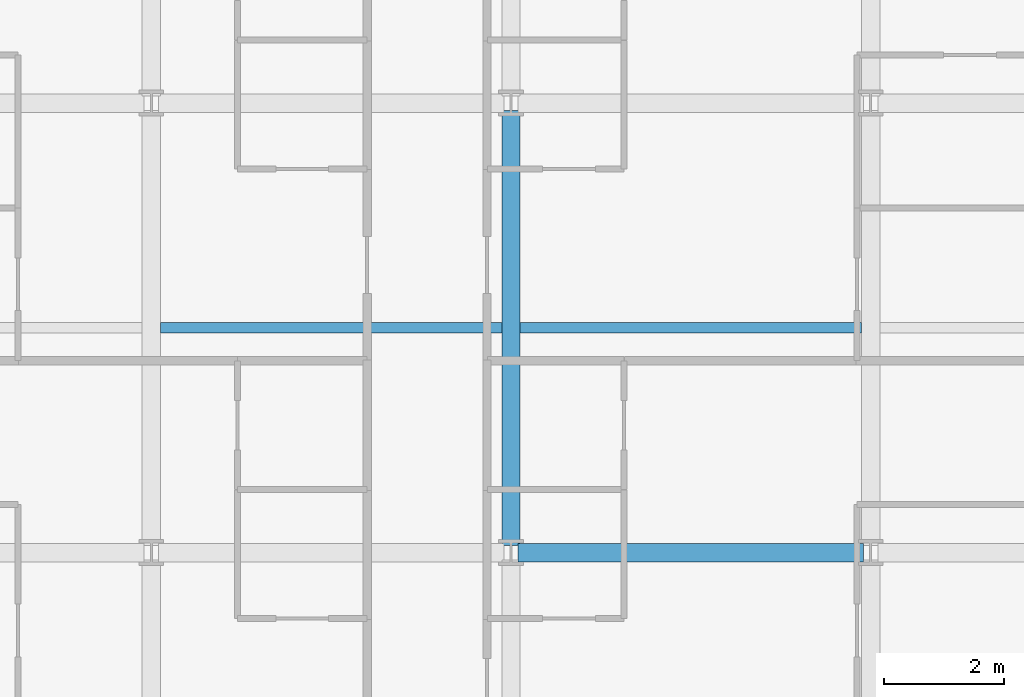
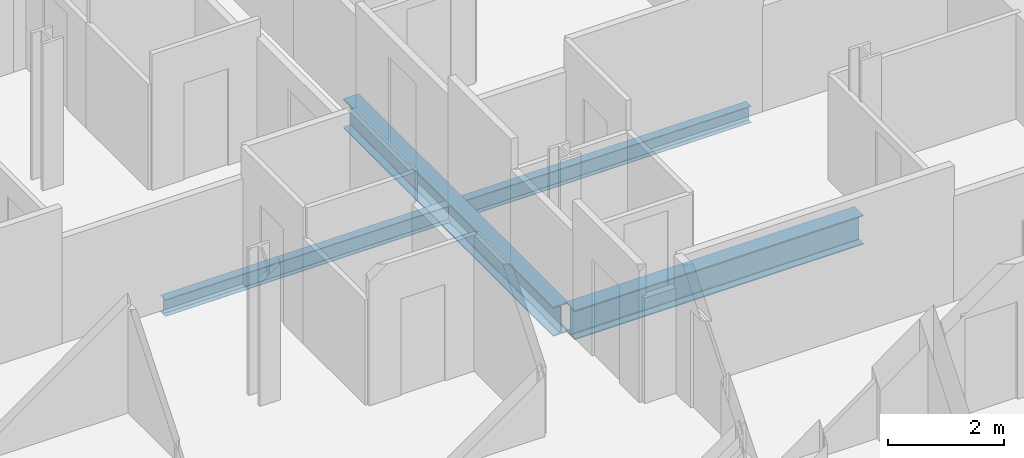
# One storey, part 6 of 40: 4 beams.
"""IFC4 building model written with IfcOpenShell, lengths in metres."""

import ifcopenshell
import ifcopenshell.guid

model = None  # the IFC model being written
_history = None  # IfcOwnerHistory: only IFC2X3 demands one
_inside = {}  # id of a spatial element -> (the spatial element, [elements in it])
_under = {}  # id of a project, library or spatial element -> (it, [spatial elements below it])
_declared = {}  # id of a project -> (the project, [libraries it declares])
_typed = {}  # id of a type object -> (the type object, [elements of that type])
_made_of = {}  # id of a material, layer set ... -> (it, [elements and type objects made of it])


def new_model(schema):
    """Start an empty IFC model of exactly this schema.

    Asked for "IFC4X3", IfcOpenShell would pick the latest addendum, in which some entities
    have other attributes; the version numbers below select the first issue.
    IFC2X3 requires an IfcOwnerHistory on every rooted entity: one is made here for all.
    """
    global model, _history
    if schema == "IFC4X3":
        model = ifcopenshell.file(schema_version=(4, 3, 0, 0))
    else:
        model = ifcopenshell.file(schema=schema)
    _inside.clear()
    _under.clear()
    _declared.clear()
    _typed.clear()
    _made_of.clear()
    _history = None
    if model.schema == "IFC2X3":
        org = make("IfcOrganization", Name="unknown")
        user = make(
            "IfcPersonAndOrganization",
            ThePerson=make("IfcPerson", FamilyName="unknown"),
            TheOrganization=org,
        )
        app = make(
            "IfcApplication",
            ApplicationDeveloper=org,
            Version="unknown",
            ApplicationFullName="unknown",
            ApplicationIdentifier="unknown",
        )
        _history = make(
            "IfcOwnerHistory",
            OwningUser=user,
            OwningApplication=app,
            ChangeAction="ADDED",
            CreationDate=0,
        )
    return model


def make(cls, **values):
    """One entity of the class cls with the attributes given. An attribute that is None is left unset."""
    return model.create_entity(
        cls, **{name: value for name, value in values.items() if value is not None}
    )


def rooted(cls, **values):
    """An entity with a GlobalId (a new one), such as an element, a storey or a relation."""
    return make(cls, GlobalId=ifcopenshell.guid.new(), OwnerHistory=_history, **values)


def si_unit(unit_type, name, prefix=None):
    """IfcSIUnit, for example si_unit("LENGTHUNIT", "METRE", prefix="MILLI")."""
    return make("IfcSIUnit", UnitType=unit_type, Prefix=prefix, Name=name)


def assignment(units):
    """IfcUnitAssignment: the units of a project."""
    return None if units is None else make("IfcUnitAssignment", Units=units)


def point(xyz):
    """IfcCartesianPoint."""
    return None if xyz is None else make("IfcCartesianPoint", Coordinates=xyz)


def direction(xyz):
    """IfcDirection."""
    return None if xyz is None else make("IfcDirection", DirectionRatios=xyz)


def frame(location, z_axis=None, x_axis=None):
    """IfcAxis2Placement3D, a coordinate frame: its origin and axes. An axis left out is left unset."""
    return make(
        "IfcAxis2Placement3D",
        Location=point(location),
        Axis=direction(z_axis),
        RefDirection=direction(x_axis),
    )


def frame_2d(location, x_axis=None):
    """IfcAxis2Placement2D, a coordinate frame in the plane: its origin and x axis."""
    return make(
        "IfcAxis2Placement2D", Location=point(location), RefDirection=direction(x_axis)
    )


def origin():
    """The frame at (0, 0, 0) with its axes left unset."""
    return frame((0.0, 0.0, 0.0))


def origin_2d():
    """The frame at (0, 0) in the plane with its x axis left unset."""
    return frame_2d((0.0, 0.0))


def place(relative_to, where):
    """IfcLocalPlacement: puts the frame where relative to a parent placement (None: the world)."""
    return make(
        "IfcLocalPlacement", PlacementRelTo=relative_to, RelativePlacement=where
    )


def context(
    kind, dimensions, precision=None, world=None, true_north=None, identifier=None
):
    """IfcGeometricRepresentationContext, for example the 3D "Model" context."""
    return make(
        "IfcGeometricRepresentationContext",
        ContextIdentifier=identifier,
        ContextType=kind,
        CoordinateSpaceDimension=dimensions,
        Precision=precision,
        WorldCoordinateSystem=world,
        TrueNorth=true_north,
    )


def subcontext(parent, identifier, kind, view, scale=None):
    """IfcGeometricRepresentationSubContext, for example "Body" below "Model"."""
    return make(
        "IfcGeometricRepresentationSubContext",
        ContextIdentifier=identifier,
        ContextType=kind,
        ParentContext=parent,
        TargetScale=scale,
        TargetView=view,
    )


def project(units=None, contexts=None):
    """IfcProject with its units and contexts."""
    return rooted(
        "IfcProject",
        Name="project",
        RepresentationContexts=contexts,
        UnitsInContext=assignment(units),
    )


def spatial(cls, under=None, at=None, **own):
    """A site, building, storey or space (cls), placed at a placement, below another one or the project."""
    s = rooted(cls, ObjectPlacement=at, **own)
    if under is not None:
        _under.setdefault(under.id(), (under, []))[1].append(s)
    return s


def profile(cls, at=None, kind="AREA", **sizes):
    """A parametric profile (cls). Its sizes go by their IFC names, for example OverallWidth=200.0."""
    return make(cls, ProfileType=kind, Position=at, **sizes)


def i_section(**sizes):
    """IfcIShapeProfileDef."""
    return profile("IfcIShapeProfileDef", **sizes)


def extrude(swept, where, along, depth):
    """IfcExtrudedAreaSolid: the profile swept, set in the frame where, extruded along a direction by depth."""
    return make(
        "IfcExtrudedAreaSolid",
        SweptArea=swept,
        Position=where,
        ExtrudedDirection=direction(along),
        Depth=depth,
    )


def shape(context_of_items, identifier, shape_type, items):
    """IfcShapeRepresentation: the items that make up one representation, for example the "Body"."""
    return make(
        "IfcShapeRepresentation",
        ContextOfItems=context_of_items,
        RepresentationIdentifier=identifier,
        RepresentationType=shape_type,
        Items=items,
    )


def material(Name=None, Category=None):
    """IfcMaterial."""
    return make("IfcMaterial", Name=Name, Category=Category)


def material_profile(
    of_material, cross_section, Name=None, Category=None, Priority=None
):
    """IfcMaterialProfile: a cross section and its material."""
    return make(
        "IfcMaterialProfile",
        Name=Name,
        Material=of_material,
        Profile=cross_section,
        Priority=Priority,
        Category=Category,
    )


def profile_set(profiles, Name=None, composite=None):
    """IfcMaterialProfileSet."""
    return make(
        "IfcMaterialProfileSet",
        Name=Name,
        MaterialProfiles=profiles,
        CompositeProfile=composite,
    )


def made_of(thing, what):
    """Note that an element or type object is made of a material, layer set ...; save() writes the relation."""
    if what is not None:
        _made_of.setdefault(what.id(), (what, []))[1].append(thing)
    return thing


def type_object(cls, material=None, **own):
    """A type object (cls), such as IfcWallType, which elements share."""
    return made_of(rooted(cls, **own), material)


def element(
    cls,
    number,
    at=None,
    inside=None,
    cuts=None,
    type_object=None,
    material=None,
    context=None,
    identifier="Body",
    shape_type=None,
    held_by="IfcProductDefinitionShape",
    body=None,
    shapes=None,
    **own,
):
    """One element of the class cls, such as IfcWall. Its Tag is "e" and its number.

    at: its placement. inside: the storey or other place that contains it. cuts: it is an
    opening in that element (IfcRelVoidsElement). A single representation is given by context,
    identifier, shape_type and body (its items); several are given by shapes. held_by: the class
    of the entity that holds the representations. save() writes the other relations.
    """
    e = rooted(cls, Tag="e%d" % number, ObjectPlacement=at, **own)
    if body is not None:
        shapes = [shape(context, identifier, shape_type, body)]
    if shapes is not None:
        e.Representation = make(held_by, Representations=shapes)
    if inside is not None:
        _inside.setdefault(inside.id(), (inside, []))[1].append(e)
    if cuts is not None:
        rooted(
            "IfcRelVoidsElement", RelatingBuildingElement=cuts, RelatedOpeningElement=e
        )
    if type_object is not None:
        _typed.setdefault(type_object.id(), (type_object, []))[1].append(e)
    return made_of(e, material)


def aggregate(whole, parts):
    """IfcRelAggregates: a whole, such as a stair, and the parts it consists of."""
    return rooted("IfcRelAggregates", RelatingObject=whole, RelatedObjects=parts)


def save(model, path):
    """Write the relations noted so far, then the file.

    IfcRelAggregates (storeys below a building ...), IfcRelContainedInSpatialStructure (elements
    in a storey), IfcRelDefinesByType, IfcRelAssociatesMaterial and IfcRelDeclares: one each for
    every whole, place, type object, material and project.
    """
    for whole, parts in _under.values():
        aggregate(whole, parts)
    for where, things in _inside.values():
        rooted(
            "IfcRelContainedInSpatialStructure",
            RelatedElements=things,
            RelatingStructure=where,
        )
    for kind, things in _typed.values():
        rooted("IfcRelDefinesByType", RelatedObjects=things, RelatingType=kind)
    for what, things in _made_of.values():
        rooted("IfcRelAssociatesMaterial", RelatedObjects=things, RelatingMaterial=what)
    for by, libraries in _declared.values():
        rooted("IfcRelDeclares", RelatingContext=by, RelatedDefinitions=libraries)
    model.write(path)


model = new_model("IFC4")

# Units and contexts
model_context = context("Model", 3, precision=1e-05, world=origin(), true_north=direction((0.0, 1.0)))
body_context = subcontext(model_context, "Body", "Model", "MODEL_VIEW")
ifc_project = project(units=[si_unit("LENGTHUNIT", "METRE"), si_unit("AREAUNIT", "SQUARE_METRE"), si_unit("VOLUMEUNIT", "CUBIC_METRE"), si_unit("PLANEANGLEUNIT", "RADIAN"), si_unit("MASSUNIT", "GRAM", prefix="KILO")], contexts=[model_context])

# Site, building, storey
site_placement = place(None, origin())
site = spatial("IfcSite", under=ifc_project, at=site_placement, CompositionType="ELEMENT")
building_placement = place(site_placement, origin())
building = spatial("IfcBuilding", under=site, at=building_placement, Name="Brevholm Reach", CompositionType="ELEMENT")
storey_placement = place(building_placement, frame((0.0, 0.0, 80.699951171875)))
storey = spatial("IfcBuildingStorey", under=building, at=storey_placement, Name="L23", CompositionType="ELEMENT", Elevation=80.699951171875)

# Beams
ifc_material_1 = material(Name="Structural Steel S355J2", Category="steel")
ifc_material_profile_1 = material_profile(ifc_material_1, i_section(OverallWidth=0.17138671875, OverallDepth=0.35498046875, WebThickness=0.00732421875, FlangeThickness=0.011474609375, FilletRadius=0.01025390625, at=origin_2d()), Name="UKB 356x171x51")
ifc_profile_set_1 = profile_set([ifc_material_profile_1], Name="Structural Steel S355J2")
beam_type_1 = type_object("IfcBeamType", Name="BM-B356", PredefinedType="BEAM", material=ifc_profile_set_1)
for number, where, z_axis, x_axis, name in (
    (1, (6.153564453125, 19.75, -0.407470703125), (1.0, 0.0, 0.0), (0.0, 1.0, 0.0), "L23 Composite Secondary Floor Beam"),
    (2, (12.153564453125, 19.75, -0.407470703125), (1.0, 0.0, 0.0), (0.0, 1.0, 0.0), "L23 Composite Secondary Floor Beam"),
):
    element("IfcBeam", number, at=place(storey_placement, frame(where, z_axis=z_axis, x_axis=x_axis)), inside=storey, type_object=beam_type_1, Name=name, PredefinedType="BEAM", context=body_context, shape_type="SweptSolid", body=[
        extrude(i_section(OverallWidth=0.17138671875, OverallDepth=0.35498046875, WebThickness=0.00732421875, FlangeThickness=0.011474609375, FilletRadius=0.01025390625, at=origin_2d()), origin(), (0.0, 0.0, 1.0), 5.69287109375),
    ])
ifc_material_2 = material(Name="Structural Steel S355J2", Category="steel")
ifc_material_profile_2 = material_profile(ifc_material_2, i_section(OverallWidth=0.30712890625, OverallDepth=0.6201171875, WebThickness=0.01416015625, FlangeThickness=0.023681640625, FilletRadius=0.0166015625, at=origin_2d()), Name="UKB 610x305x179")
ifc_profile_set_2 = profile_set([ifc_material_profile_2], Name="Structural Steel S355J2")
beam_type_2 = type_object("IfcBeamType", Name="BM-UKB610H", PredefinedType="USERDEFINED", material=ifc_profile_set_2)
beam_1_placement = place(storey_placement, frame((12.1201171875, 16.0, -0.5400390625), z_axis=(1.0, 0.0, 0.0), x_axis=(0.0, 1.0, 0.0)))
element("IfcBeam", 3, at=beam_1_placement, inside=storey, type_object=beam_type_2, Name="L23 G-06 Framing Beam", ObjectType="GIRDER", PredefinedType="USERDEFINED", context=body_context, shape_type="SweptSolid", body=[
    extrude(i_section(OverallWidth=0.30712890625, OverallDepth=0.6201171875, WebThickness=0.01416015625, FlangeThickness=0.023681640625, FilletRadius=0.0166015625, at=origin_2d()), origin(), (0.0, 0.0, 1.0), 5.759765625),
])
beam_2_placement = place(storey_placement, frame((12.0, 16.1201171875, -0.5400390625), z_axis=(0.0, 1.0, 0.0), x_axis=(-1.0, 0.0, 0.0)))
element("IfcBeam", 4, at=beam_2_placement, inside=storey, type_object=beam_type_2, Name="L23 G-06 Framing Beam", ObjectType="GIRDER", PredefinedType="USERDEFINED", context=body_context, shape_type="SweptSolid", body=[
    extrude(i_section(OverallWidth=0.30712890625, OverallDepth=0.6201171875, WebThickness=0.01416015625, FlangeThickness=0.023681640625, FilletRadius=0.0166015625, at=origin_2d()), origin(), (0.0, 0.0, 1.0), 7.259765625),
])

save(model, "model.ifc")
